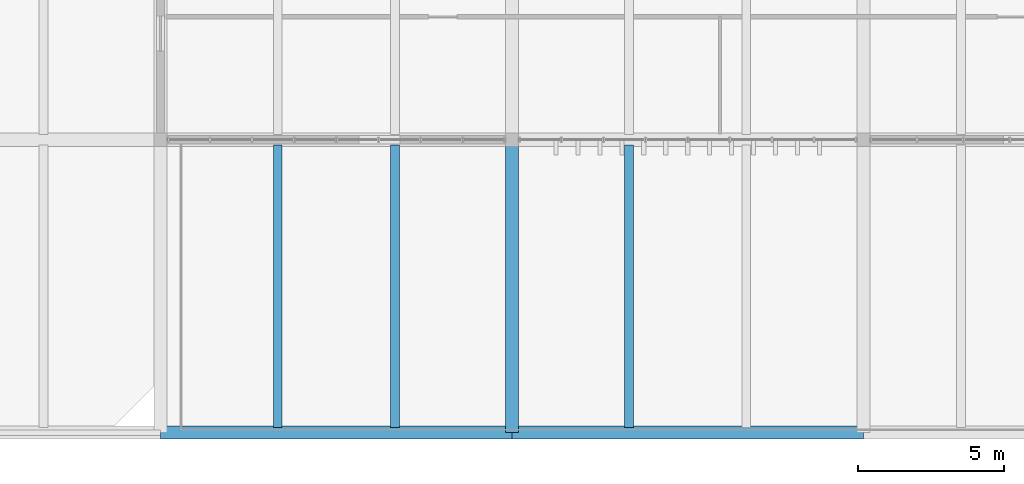
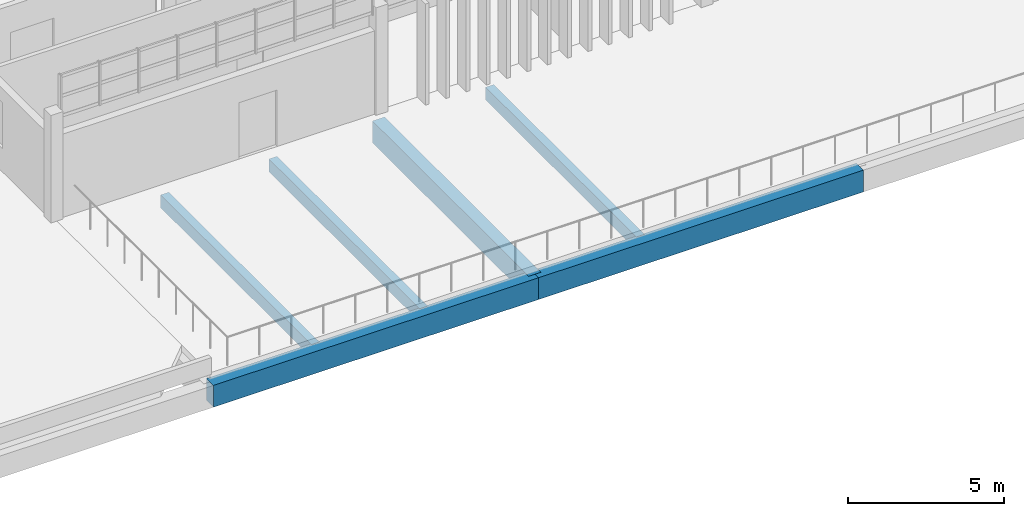
# One storey, part 5 of 36: 6 beams.
"""IFC4 building model written with IfcOpenShell, lengths in metres."""

from ifc_helpers import new_model, si_unit, direction, frame, origin, origin_2d, place, context, subcontext, project, spatial, rectangle, extrude, material, material_profile, profile_set, type_object, element, save


model = new_model("IFC4")

# Units and contexts
model_context = context("Model", 3, precision=1e-05, world=origin(), true_north=direction((0.0, 1.0)))
body_context = subcontext(model_context, "Body", "Model", "MODEL_VIEW")
ifc_project = project(units=[si_unit("LENGTHUNIT", "METRE"), si_unit("AREAUNIT", "SQUARE_METRE"), si_unit("VOLUMEUNIT", "CUBIC_METRE"), si_unit("PLANEANGLEUNIT", "RADIAN"), si_unit("MASSUNIT", "GRAM", prefix="KILO")], contexts=[model_context])

# Site, building, storey
site_placement = place(None, origin())
site = spatial("IfcSite", under=ifc_project, at=site_placement, CompositionType="ELEMENT")
building_placement = place(site_placement, origin())
building = spatial("IfcBuilding", under=site, at=building_placement, Name="Mersad Railyard Sports Hall", CompositionType="ELEMENT")
storey_placement = place(building_placement, frame((0.0, 0.0, 21.60009765625)))
storey = spatial("IfcBuildingStorey", under=building, at=storey_placement, Name="L05", CompositionType="ELEMENT", Elevation=21.60009765625)

# Beams
ifc_material = material(Name="Concrete C40/50", Category="concrete")
ifc_material_profile_1 = material_profile(ifc_material, rectangle(XDim=0.449951171875, YDim=0.85009765625, at=origin_2d()), Name="RC 450x850")
ifc_profile_set_1 = profile_set([ifc_material_profile_1], Name="Concrete C40/50")
beam_type_1 = type_object("IfcBeamType", Name="STR-BM-B02", PredefinedType="BEAM", material=ifc_profile_set_1)
for number, where, z_axis, x_axis, name in (
    (1, (67.0, 85.0, -0.775146484375), (1.0, 0.0, 0.0), (0.0, 1.0, 0.0), "Beam B02-1404"),
    (2, (79.0, 85.0, -0.775146484375), (1.0, 0.0, 0.0), (0.0, 1.0, 0.0), "Beam B02-1405"),
):
    element("IfcBeam", number, at=place(storey_placement, frame(where, z_axis=z_axis, x_axis=x_axis)), inside=storey, type_object=beam_type_1, Name=name, PredefinedType="BEAM", context=body_context, shape_type="SweptSolid", body=[
        extrude(rectangle(XDim=0.449951171875, YDim=0.85009765625, at=origin_2d()), origin(), (0.0, 0.0, 1.0), 12.0),
    ])
beam_placement = place(storey_placement, frame((79.0, 85.0, -0.775146484375), z_axis=(0.0, 1.0, 0.0), x_axis=(-1.0, 0.0, 0.0)))
element("IfcBeam", 3, at=beam_placement, inside=storey, type_object=beam_type_1, Name="Beam B02-1433", PredefinedType="BEAM", context=body_context, shape_type="SweptSolid", body=[
    extrude(rectangle(XDim=0.449951171875, YDim=0.85009765625, at=origin_2d()), origin(), (0.0, 0.0, 1.0), 10.0),
])
ifc_material_profile_2 = material_profile(ifc_material, rectangle(XDim=0.300048828125, YDim=0.5, at=origin_2d()), Name="RC 300x500")
ifc_profile_set_2 = profile_set([ifc_material_profile_2], Name="Concrete C40/50")
beam_type_2 = type_object("IfcBeamType", Name="STR-BM-LN01", PredefinedType="LINTEL", material=ifc_profile_set_2)
for number, where, z_axis, x_axis, name in (
    (4, (71.0, 85.179931640625, -0.60009765625), (0.0, 1.0, 0.0), (-1.0, 0.0, 0.0), "Beam LN01-1454"),
    (5, (75.0, 85.179931640625, -0.60009765625), (0.0, 1.0, 0.0), (-1.0, 0.0, 0.0), "Beam LN01-1455"),
    (6, (83.0, 85.179931640625, -0.60009765625), (0.0, 1.0, 0.0), (-1.0, 0.0, 0.0), "Beam LN01-1459"),
):
    element("IfcBeam", number, at=place(storey_placement, frame(where, z_axis=z_axis, x_axis=x_axis)), inside=storey, type_object=beam_type_2, Name=name, PredefinedType="LINTEL", context=body_context, shape_type="SweptSolid", body=[
        extrude(rectangle(XDim=0.300048828125, YDim=0.5, at=origin_2d()), origin(), (0.0, 0.0, 1.0), 9.64013671875),
    ])

save(model, "model.ifc")
